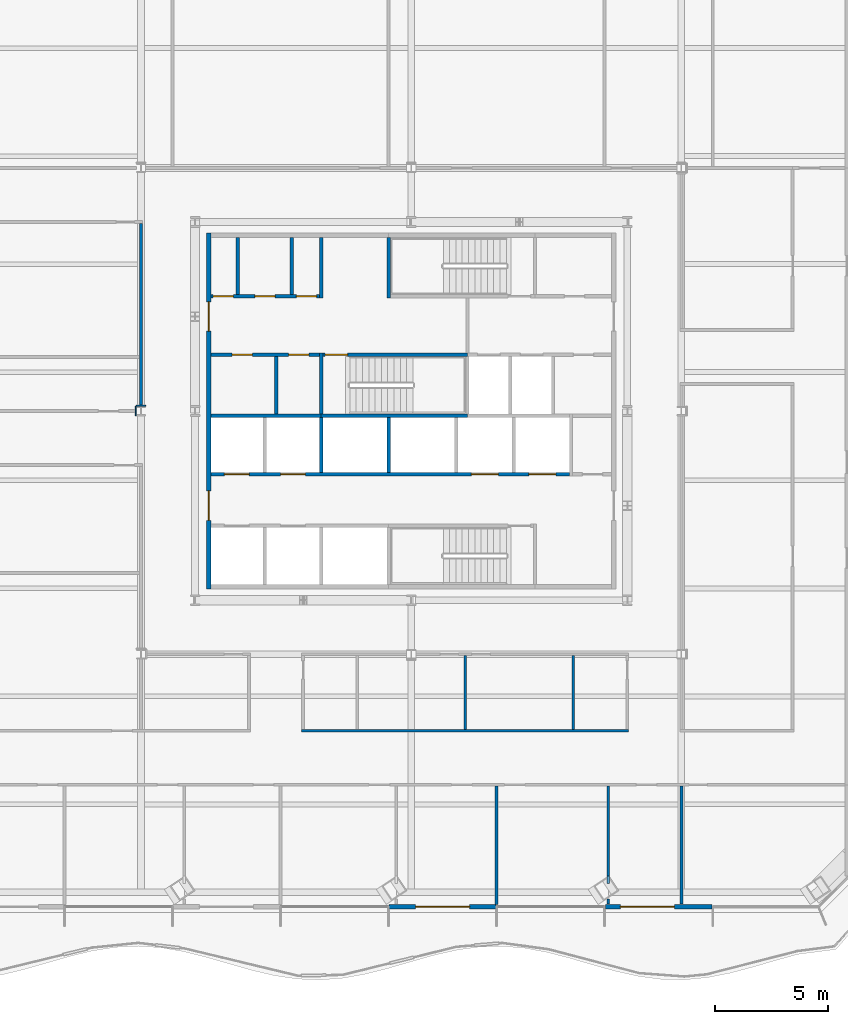
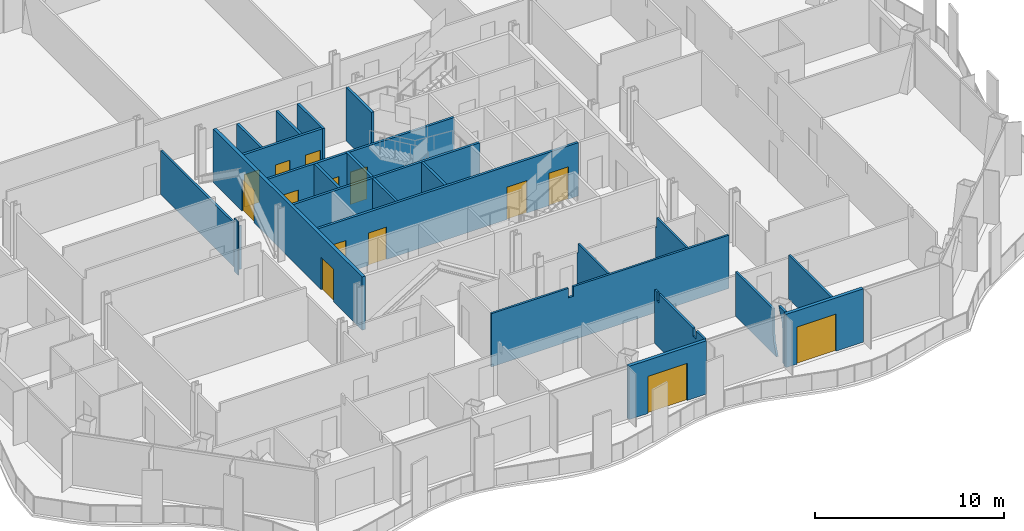
# One storey, part 9 of 21: 27 walls, 14 doors, 14 openings.
"""IFC4 building model written with IfcOpenShell, lengths in metres."""

from ifc_helpers import new_model, si_unit, direction, frame, frame_2d, origin, place, context, subcontext, project, spatial, polyline, rectangle, outline, extrude, material, layer, layer_set, type_object, element, fill, save


model = new_model("IFC4")

# Units and contexts
model_context = context("Model", 3, precision=1e-05, world=origin(), true_north=direction((0.0, 1.0)))
body_context = subcontext(model_context, "Body", "Model", "MODEL_VIEW")
ifc_project = project(units=[si_unit("LENGTHUNIT", "METRE"), si_unit("AREAUNIT", "SQUARE_METRE"), si_unit("VOLUMEUNIT", "CUBIC_METRE"), si_unit("PLANEANGLEUNIT", "RADIAN"), si_unit("MASSUNIT", "GRAM", prefix="KILO")], contexts=[model_context])

# Site, building, storey
site_placement = place(None, origin())
site = spatial("IfcSite", under=ifc_project, at=site_placement, CompositionType="ELEMENT")
building_placement = place(site_placement, origin())
building = spatial("IfcBuilding", under=site, at=building_placement, Name="Cairn Pilgrim Tower", CompositionType="ELEMENT")
storey_placement = place(building_placement, frame((0.0, 0.0, 108.60009765625)))
storey = spatial("IfcBuildingStorey", under=building, at=storey_placement, Name="L26", CompositionType="ELEMENT", Elevation=108.60009765625)

# Wall, opening, door
ifc_material_1 = material(Name="Bronze anodised aluminium insulated sandwich panel with mineral wool fill", Category="aluminium")
ifc_layer_1 = layer(ifc_material_1, 0.199951171875)
ifc_layer_set_1 = layer_set([ifc_layer_1], Name="BRONZE INFILL FRAME WALL 200")
wall_type_1 = type_object("IfcWallType", Name="BRONZE INFILL FRAME WALL 200", PredefinedType="NOTDEFINED", material=ifc_layer_set_1)
wall_1_placement = place(storey_placement, frame((6.2216796875, -19.622314453125, 0.0), z_axis=(0.0, 0.0, 1.0), x_axis=(1.0, 0.0, 0.0)))
wall_1 = element("IfcWall", 1, at=wall_1_placement, inside=storey, type_object=wall_type_1, Name="Bronze infill frame wall IW-S5", PredefinedType="NOTDEFINED", context=body_context, shape_type="SweptSolid", body=[
    extrude(rectangle(XDim=4.739990234375, YDim=0.199951171875, at=frame_2d((2.3701171875, 0.0))), origin(), (0.0, 0.0, 1.0), 3.449951171875),
])
opening_1_placement = place(wall_1_placement, frame((1.17041015625, 0.0, 0.0)))
opening_1 = element("IfcOpeningElement", 2, at=opening_1_placement, cuts=wall_1, Name="Opening 2606B", PredefinedType="OPENING", context=body_context, shape_type="SweptSolid", body=[
    extrude(rectangle(XDim=2.39990234375, YDim=2.39990234375, at=frame_2d((1.199951171875, 1.199951171875))), frame((0.0, 0.10986328125, 0.0), z_axis=(0.0, -1.0, 0.0), x_axis=(1.0, 0.0, 0.0)), (0.0, 0.0, 1.0), 0.219970703125),
])
ifc_material_2 = material(Name="Bronze anodised aluminium frame with tinted low-E glass", Category="aluminium")
door_type_1 = type_object("IfcDoorType", Name="BALCONY SLIDING DOOR 2400x2400", OperationType="DOUBLE_DOOR_SLIDING", PredefinedType="DOOR", material=ifc_material_2)
door_1_placement = place(opening_1_placement, origin())
door_1 = element("IfcDoor", 3, at=door_1_placement, inside=storey, type_object=door_type_1, Name="Balcony sliding door 2606B", OperationType="SINGLE_SWING_LEFT", OverallHeight=2.39990234375, OverallWidth=2.39990234375, PredefinedType="DOOR", context=body_context, shape_type="SweptSolid", body=[
    extrude(rectangle(XDim=2.39990234375, YDim=2.39990234375, at=frame_2d((1.199951171875, 1.199951171875))), frame((0.0, 0.02490234375, 0.0), z_axis=(0.0, -1.0, 0.0), x_axis=(1.0, 0.0, 0.0)), (0.0, 0.0, 1.0), 0.050048828125),
])
fill(opening_1, door_1)

wall_2_placement = place(storey_placement, frame((15.821533203125, -19.622314453125, 0.0), z_axis=(0.0, 0.0, 1.0), x_axis=(1.0, 0.0, 0.0)))
wall_2 = element("IfcWall", 4, at=wall_2_placement, inside=storey, type_object=wall_type_1, Name="Bronze infill frame wall IW-S7", PredefinedType="NOTDEFINED", context=body_context, shape_type="SweptSolid", body=[
    extrude(rectangle(XDim=4.739990234375, YDim=0.199951171875, at=frame_2d((2.3701171875, 0.0))), origin(), (0.0, 0.0, 1.0), 3.449951171875),
])
opening_2_placement = place(wall_2_placement, frame((0.67041015625, 0.0, 0.0)))
opening_2 = element("IfcOpeningElement", 5, at=opening_2_placement, cuts=wall_2, Name="Opening 2608B", PredefinedType="OPENING", context=body_context, shape_type="SweptSolid", body=[
    extrude(rectangle(XDim=2.39990234375, YDim=2.39990234375, at=frame_2d((1.199951171875, 1.199951171875))), frame((0.0, 0.10986328125, 0.0), z_axis=(0.0, -1.0, 0.0), x_axis=(1.0, 0.0, 0.0)), (0.0, 0.0, 1.0), 0.219970703125),
])
door_2_placement = place(opening_2_placement, origin())
door_2 = element("IfcDoor", 6, at=door_2_placement, inside=storey, type_object=door_type_1, Name="Balcony sliding door 2608B", OperationType="SINGLE_SWING_LEFT", OverallHeight=2.39990234375, OverallWidth=2.39990234375, PredefinedType="DOOR", context=body_context, shape_type="SweptSolid", body=[
    extrude(rectangle(XDim=2.39990234375, YDim=2.39990234375, at=frame_2d((1.199951171875, 1.199951171875))), frame((0.0, 0.02490234375, 0.0), z_axis=(0.0, -1.0, 0.0), x_axis=(1.0, 0.0, 0.0)), (0.0, 0.0, 1.0), 0.050048828125),
])
fill(opening_2, door_2)

# Wall, openings, doors
ifc_material_3 = material(Name="Concrete C32/40", Category="concrete")
ifc_layer_2 = layer(ifc_material_3, 0.199951171875)
ifc_layer_set_2 = layer_set([ifc_layer_2], Name="CORE OUTER WALL 200 EI 120")
wall_type_2 = type_object("IfcWallType", Name="CORE OUTER WALL 200 EI 120", PredefinedType="SOLIDWALL", material=ifc_layer_set_2)
wall_3_placement = place(storey_placement, frame((-1.800048828125, -5.5, 0.0), z_axis=(0.0, 0.0, 1.0), x_axis=(0.0, 1.0, 0.0)))
wall_3 = element("IfcWall", 7, at=wall_3_placement, inside=storey, type_object=wall_type_2, Name="CW:L26:V12", PredefinedType="SOLIDWALL", context=body_context, shape_type="SweptSolid", body=[
    extrude(rectangle(XDim=15.800048828125, YDim=0.199951171875, at=frame_2d((7.89990234375, 0.0))), origin(), (0.0, 0.0, 1.0), 3.449951171875),
])
opening_3_placement = place(wall_3_placement, frame((3.050048828125, 0.0, 0.0)))
opening_3 = element("IfcOpeningElement", 8, at=opening_3_placement, cuts=wall_3, Name="Opening CD-W1", PredefinedType="OPENING", context=body_context, shape_type="SweptSolid", body=[
    extrude(rectangle(XDim=1.300048828125, YDim=2.10009765625, at=frame_2d((0.64990234375, 1.050048828125))), frame((0.0, 0.10986328125, 0.0), z_axis=(0.0, -1.0, 0.0), x_axis=(1.0, 0.0, 0.0)), (0.0, 0.0, 1.0), 0.219970703125),
])
opening_4_placement = place(wall_3_placement, frame((11.449951171875, 0.0, 0.0)))
opening_4 = element("IfcOpeningElement", 9, at=opening_4_placement, cuts=wall_3, Name="Opening CD-W2", PredefinedType="OPENING", context=body_context, shape_type="SweptSolid", body=[
    extrude(rectangle(XDim=1.300048828125, YDim=2.10009765625, at=frame_2d((0.64990234375, 1.050048828125))), frame((0.0, 0.10986328125, 0.0), z_axis=(0.0, -1.0, 0.0), x_axis=(1.0, 0.0, 0.0)), (0.0, 0.0, 1.0), 0.219970703125),
])
ifc_material_4 = material(Name="Painted steel", Category="steel")
door_type_2 = type_object("IfcDoorType", Name="CORE LOBBY DOOR 1300x2100", OperationType="DOUBLE_DOOR_SINGLE_SWING", PredefinedType="DOOR", material=ifc_material_4)
door_3_placement = place(opening_3_placement, origin())
door_3 = element("IfcDoor", 10, at=door_3_placement, inside=storey, type_object=door_type_2, Name="CD-W1", OperationType="DOUBLE_DOOR_SINGLE_SWING", OverallHeight=2.10009765625, OverallWidth=1.300048828125, PredefinedType="DOOR", context=body_context, shape_type="SweptSolid", body=[
    extrude(rectangle(XDim=1.300048828125, YDim=2.10009765625, at=frame_2d((0.64990234375, 1.050048828125))), frame((0.0, 0.02490234375, 0.0), z_axis=(0.0, -1.0, 0.0), x_axis=(1.0, 0.0, 0.0)), (0.0, 0.0, 1.0), 0.050048828125),
])
fill(opening_3, door_3)
door_4_placement = place(opening_4_placement, origin())
door_4 = element("IfcDoor", 11, at=door_4_placement, inside=storey, type_object=door_type_2, Name="CD-W2", OperationType="DOUBLE_DOOR_SINGLE_SWING", OverallHeight=2.10009765625, OverallWidth=1.300048828125, PredefinedType="DOOR", context=body_context, shape_type="SweptSolid", body=[
    extrude(rectangle(XDim=1.300048828125, YDim=2.10009765625, at=frame_2d((0.64990234375, 1.050048828125))), frame((0.0, 0.02490234375, 0.0), z_axis=(0.0, -1.0, 0.0), x_axis=(1.0, 0.0, 0.0)), (0.0, 0.0, 1.0), 0.050048828125),
])
fill(opening_4, door_4)

ifc_layer_3 = layer(ifc_material_3, 0.14990234375)
ifc_layer_set_3 = layer_set([ifc_layer_3], Name="CORE PARTITION 150 EI 60")
wall_type_3 = type_object("IfcWallType", Name="CORE PARTITION 150 EI 60", PredefinedType="PARTITIONING", material=ifc_layer_set_3)
wall_4_placement = place(storey_placement, frame((-1.699951171875, 4.89990234375, 0.0), z_axis=(0.0, 0.0, 1.0), x_axis=(1.0, 0.0, 0.0)))
wall_4 = element("IfcWall", 12, at=wall_4_placement, inside=storey, type_object=wall_type_3, Name="CW:L26:H07", PredefinedType="PARTITIONING", context=body_context, shape_type="SweptSolid", body=[
    extrude(rectangle(XDim=4.824951171875, YDim=0.14990234375, at=frame_2d((2.41259765625, 0.0))), origin(), (0.0, 0.0, 1.0), 3.449951171875),
])
opening_5_placement = place(wall_4_placement, frame((0.949951171875, 0.0, 0.0)))
opening_5 = element("IfcOpeningElement", 13, at=opening_5_placement, cuts=wall_4, Name="Opening RD-R3W1", PredefinedType="OPENING", context=body_context, shape_type="SweptSolid", body=[
    extrude(rectangle(XDim=0.89990234375, YDim=2.10009765625, at=frame_2d((0.449951171875, 1.050048828125))), frame((0.0, 0.0849609375, 0.0), z_axis=(0.0, -1.0, 0.0), x_axis=(1.0, 0.0, 0.0)), (0.0, 0.0, 1.0), 0.169921875),
])
opening_6_placement = place(wall_4_placement, frame((3.449951171875, 0.0, 0.0)))
opening_6 = element("IfcOpeningElement", 14, at=opening_6_placement, cuts=wall_4, Name="Opening RD-R3W2", PredefinedType="OPENING", context=body_context, shape_type="SweptSolid", body=[
    extrude(rectangle(XDim=0.89990234375, YDim=2.10009765625, at=frame_2d((0.449951171875, 1.050048828125))), frame((0.0, 0.0849609375, 0.0), z_axis=(0.0, -1.0, 0.0), x_axis=(1.0, 0.0, 0.0)), (0.0, 0.0, 1.0), 0.169921875),
])
door_type_3 = type_object("IfcDoorType", Name="SERVICE ROOM DOOR 900x2100", OperationType="SINGLE_SWING_LEFT", PredefinedType="DOOR", material=ifc_material_4)
door_5_placement = place(opening_5_placement, origin())
door_5 = element("IfcDoor", 15, at=door_5_placement, inside=storey, type_object=door_type_3, Name="RD-R3W1", OperationType="SINGLE_SWING_RIGHT", OverallHeight=2.10009765625, OverallWidth=0.89990234375, PredefinedType="DOOR", context=body_context, shape_type="SweptSolid", body=[
    extrude(rectangle(XDim=0.89990234375, YDim=2.10009765625, at=frame_2d((0.449951171875, 1.050048828125))), frame((0.0, 0.02490234375, 0.0), z_axis=(0.0, -1.0, 0.0), x_axis=(1.0, 0.0, 0.0)), (0.0, 0.0, 1.0), 0.050048828125),
])
fill(opening_5, door_5)
door_6_placement = place(opening_6_placement, origin())
door_6 = element("IfcDoor", 16, at=door_6_placement, inside=storey, type_object=door_type_3, Name="RD-R3W2", OperationType="SINGLE_SWING_LEFT", OverallHeight=2.10009765625, OverallWidth=0.89990234375, PredefinedType="DOOR", context=body_context, shape_type="SweptSolid", body=[
    extrude(rectangle(XDim=0.89990234375, YDim=2.10009765625, at=frame_2d((0.449951171875, 1.050048828125))), frame((0.0, 0.02490234375, 0.0), z_axis=(0.0, -1.0, 0.0), x_axis=(1.0, 0.0, 0.0)), (0.0, 0.0, 1.0), 0.050048828125),
])
fill(opening_6, door_6)

wall_5_placement = place(storey_placement, frame((-1.699951171875, 7.5, 0.0), z_axis=(0.0, 0.0, 1.0), x_axis=(1.0, 0.0, 0.0)))
wall_5 = element("IfcWall", 17, at=wall_5_placement, inside=storey, type_object=wall_type_3, Name="CW:L26:H09", PredefinedType="PARTITIONING", context=body_context, shape_type="SweptSolid", body=[
    extrude(rectangle(XDim=4.824951171875, YDim=0.14990234375, at=frame_2d((2.41259765625, 0.0))), origin(), (0.0, 0.0, 1.0), 3.449951171875),
])
opening_7_placement = place(wall_5_placement, frame((0.10009765625, 0.0, 0.0)))
opening_7 = element("IfcOpeningElement", 18, at=opening_7_placement, cuts=wall_5, Name="Opening RD-R4W1", PredefinedType="OPENING", context=body_context, shape_type="SweptSolid", body=[
    extrude(rectangle(XDim=0.89990234375, YDim=2.10009765625, at=frame_2d((0.449951171875, 1.050048828125))), frame((0.0, 0.0849609375, 0.0), z_axis=(0.0, -1.0, 0.0), x_axis=(1.0, 0.0, 0.0)), (0.0, 0.0, 1.0), 0.169921875),
])
opening_8_placement = place(wall_5_placement, frame((1.949951171875, 0.0, 0.0)))
opening_8 = element("IfcOpeningElement", 19, at=opening_8_placement, cuts=wall_5, Name="Opening RD-R4W2", PredefinedType="OPENING", context=body_context, shape_type="SweptSolid", body=[
    extrude(rectangle(XDim=0.89990234375, YDim=2.10009765625, at=frame_2d((0.449951171875, 1.050048828125))), frame((0.0, 0.0849609375, 0.0), z_axis=(0.0, -1.0, 0.0), x_axis=(1.0, 0.0, 0.0)), (0.0, 0.0, 1.0), 0.169921875),
])
opening_9_placement = place(wall_5_placement, frame((3.800048828125, 0.0, 0.0)))
opening_9 = element("IfcOpeningElement", 20, at=opening_9_placement, cuts=wall_5, Name="Opening RD-R4W3", PredefinedType="OPENING", context=body_context, shape_type="SweptSolid", body=[
    extrude(rectangle(XDim=0.89990234375, YDim=2.10009765625, at=frame_2d((0.449951171875, 1.050048828125))), frame((0.0, 0.0849609375, 0.0), z_axis=(0.0, -1.0, 0.0), x_axis=(1.0, 0.0, 0.0)), (0.0, 0.0, 1.0), 0.169921875),
])
door_7_placement = place(opening_7_placement, origin())
door_7 = element("IfcDoor", 21, at=door_7_placement, inside=storey, type_object=door_type_3, Name="RD-R4W1", OperationType="SINGLE_SWING_RIGHT", OverallHeight=2.10009765625, OverallWidth=0.89990234375, PredefinedType="DOOR", context=body_context, shape_type="SweptSolid", body=[
    extrude(rectangle(XDim=0.89990234375, YDim=2.10009765625, at=frame_2d((0.449951171875, 1.050048828125))), frame((0.0, 0.02490234375, 0.0), z_axis=(0.0, -1.0, 0.0), x_axis=(1.0, 0.0, 0.0)), (0.0, 0.0, 1.0), 0.050048828125),
])
fill(opening_7, door_7)
door_8_placement = place(opening_8_placement, origin())
door_8 = element("IfcDoor", 22, at=door_8_placement, inside=storey, type_object=door_type_3, Name="RD-R4W2", OperationType="SINGLE_SWING_LEFT", OverallHeight=2.10009765625, OverallWidth=0.89990234375, PredefinedType="DOOR", context=body_context, shape_type="SweptSolid", body=[
    extrude(rectangle(XDim=0.89990234375, YDim=2.10009765625, at=frame_2d((0.449951171875, 1.050048828125))), frame((0.0, 0.02490234375, 0.0), z_axis=(0.0, -1.0, 0.0), x_axis=(1.0, 0.0, 0.0)), (0.0, 0.0, 1.0), 0.050048828125),
])
fill(opening_8, door_8)
door_9_placement = place(opening_9_placement, origin())
door_9 = element("IfcDoor", 23, at=door_9_placement, inside=storey, type_object=door_type_3, Name="RD-R4W3", OperationType="SINGLE_SWING_RIGHT", OverallHeight=2.10009765625, OverallWidth=0.89990234375, PredefinedType="DOOR", context=body_context, shape_type="SweptSolid", body=[
    extrude(rectangle(XDim=0.89990234375, YDim=2.10009765625, at=frame_2d((0.449951171875, 1.050048828125))), frame((0.0, 0.02490234375, 0.0), z_axis=(0.0, -1.0, 0.0), x_axis=(1.0, 0.0, 0.0)), (0.0, 0.0, 1.0), 0.050048828125),
])
fill(opening_9, door_9)

# Walls
wall_6_placement = place(storey_placement, frame((-0.5, 7.574951171875, 0.0), z_axis=(0.0, 0.0, 1.0), x_axis=(0.0, 1.0, 0.0)))
element("IfcWall", 24, at=wall_6_placement, inside=storey, type_object=wall_type_3, Name="CW:L26:V13", PredefinedType="PARTITIONING", context=body_context, shape_type="SweptSolid", body=[
    extrude(rectangle(XDim=2.525146484375, YDim=0.14990234375, at=frame_2d((1.2626953125, 0.0))), origin(), (0.0, 0.0, 1.0), 3.449951171875),
])
wall_7_placement = place(storey_placement, frame((1.199951171875, 2.27490234375, 0.0), z_axis=(0.0, 0.0, 1.0), x_axis=(0.0, 1.0, 0.0)))
element("IfcWall", 25, at=wall_7_placement, inside=storey, type_object=wall_type_3, Name="CW:L26:V16", PredefinedType="PARTITIONING", context=body_context, shape_type="SweptSolid", body=[
    extrude(rectangle(XDim=2.550048828125, YDim=0.14990234375, at=frame_2d((1.27490234375, 0.0))), origin(), (0.0, 0.0, 1.0), 3.449951171875),
])
wall_8_placement = place(storey_placement, frame((1.89990234375, 7.574951171875, 0.0), z_axis=(0.0, 0.0, 1.0), x_axis=(0.0, 1.0, 0.0)))
element("IfcWall", 26, at=wall_8_placement, inside=storey, type_object=wall_type_3, Name="CW:L26:V17", PredefinedType="PARTITIONING", context=body_context, shape_type="SweptSolid", body=[
    extrude(rectangle(XDim=2.525146484375, YDim=0.14990234375, at=frame_2d((1.2626953125, 0.0))), origin(), (0.0, 0.0, 1.0), 3.449951171875),
])
wall_9_placement = place(storey_placement, frame((3.199951171875, 7.425048828125, 0.0), z_axis=(0.0, 0.0, 1.0), x_axis=(0.0, 1.0, 0.0)))
element("IfcWall", 27, at=wall_9_placement, inside=storey, type_object=wall_type_3, Name="CW:L26:V21", PredefinedType="PARTITIONING", context=body_context, shape_type="SweptSolid", body=[
    extrude(rectangle(XDim=2.675048828125, YDim=0.14990234375, at=frame_2d((1.33740234375, 0.0))), origin(), (0.0, 0.0, 1.0), 3.449951171875),
])

# Wall, openings, doors
ifc_layer_4 = layer(ifc_material_3, 0.14990234375)
ifc_layer_set_4 = layer_set([ifc_layer_4], Name="CORE SHAFT WALL 150 EI 120")
wall_type_4 = type_object("IfcWallType", Name="CORE SHAFT WALL 150 EI 120", PredefinedType="SOLIDWALL", material=ifc_layer_set_4)
wall_10_placement = place(storey_placement, frame((-1.699951171875, -0.39990234375, 0.0), z_axis=(0.0, 0.0, 1.0), x_axis=(1.0, 0.0, 0.0)))
wall_10 = element("IfcWall", 28, at=wall_10_placement, inside=storey, type_object=wall_type_4, Name="CW:L26:H03", PredefinedType="SOLIDWALL", context=body_context, shape_type="SweptSolid", body=[
    extrude(rectangle(XDim=15.925048828125, YDim=0.14990234375, at=frame_2d((7.96240234375, 0.0))), origin(), (0.0, 0.0, 1.0), 3.449951171875),
])
opening_10_placement = place(wall_10_placement, frame((0.60009765625, 0.0, 0.0)))
opening_10 = element("IfcOpeningElement", 29, at=opening_10_placement, cuts=wall_10, Name="Opening LD-LR3", PredefinedType="OPENING", context=body_context, shape_type="SweptSolid", body=[
    extrude(rectangle(XDim=1.10009765625, YDim=2.10009765625, at=frame_2d((0.550048828125, 1.050048828125))), frame((0.0, 0.0849609375, 0.0), z_axis=(0.0, -1.0, 0.0), x_axis=(1.0, 0.0, 0.0)), (0.0, 0.0, 1.0), 0.169921875),
])
opening_11_placement = place(wall_10_placement, frame((3.10009765625, 0.0, 0.0)))
opening_11 = element("IfcOpeningElement", 30, at=opening_11_placement, cuts=wall_10, Name="Opening LD-LR4", PredefinedType="OPENING", context=body_context, shape_type="SweptSolid", body=[
    extrude(rectangle(XDim=1.10009765625, YDim=2.10009765625, at=frame_2d((0.550048828125, 1.050048828125))), frame((0.0, 0.0849609375, 0.0), z_axis=(0.0, -1.0, 0.0), x_axis=(1.0, 0.0, 0.0)), (0.0, 0.0, 1.0), 0.169921875),
])
opening_12_placement = place(wall_10_placement, frame((11.574951171875, 0.0, 0.0)))
opening_12 = element("IfcOpeningElement", 31, at=opening_12_placement, cuts=wall_10, Name="Opening LD-SV1", PredefinedType="OPENING", context=body_context, shape_type="SweptSolid", body=[
    extrude(rectangle(XDim=1.199951171875, YDim=2.10009765625, at=frame_2d((0.60009765625, 1.050048828125))), frame((0.0, 0.0849609375, 0.0), z_axis=(0.0, -1.0, 0.0), x_axis=(1.0, 0.0, 0.0)), (0.0, 0.0, 1.0), 0.169921875),
])
opening_13_placement = place(wall_10_placement, frame((14.125, 0.0, 0.0)))
opening_13 = element("IfcOpeningElement", 32, at=opening_13_placement, cuts=wall_10, Name="Opening LD-SV2", PredefinedType="OPENING", context=body_context, shape_type="SweptSolid", body=[
    extrude(rectangle(XDim=1.199951171875, YDim=2.10009765625, at=frame_2d((0.60009765625, 1.050048828125))), frame((0.0, 0.0849609375, 0.0), z_axis=(0.0, -1.0, 0.0), x_axis=(1.0, 0.0, 0.0)), (0.0, 0.0, 1.0), 0.169921875),
])
ifc_material_5 = material(Name="Stainless steel", Category="steel")
door_type_4 = type_object("IfcDoorType", Name="LIFT LANDING DOOR 1100x2100", OperationType="DOUBLE_DOOR_SLIDING", PredefinedType="DOOR", material=ifc_material_5)
door_10_placement = place(opening_10_placement, origin())
door_10 = element("IfcDoor", 33, at=door_10_placement, inside=storey, type_object=door_type_4, Name="LANDING DOOR LR3", OperationType="DOUBLE_DOOR_SLIDING", OverallHeight=2.10009765625, OverallWidth=1.10009765625, PredefinedType="DOOR", context=body_context, shape_type="SweptSolid", body=[
    extrude(rectangle(XDim=1.10009765625, YDim=2.10009765625, at=frame_2d((0.550048828125, 1.050048828125))), frame((0.0, 0.02490234375, 0.0), z_axis=(0.0, -1.0, 0.0), x_axis=(1.0, 0.0, 0.0)), (0.0, 0.0, 1.0), 0.050048828125),
])
fill(opening_10, door_10)
door_11_placement = place(opening_11_placement, origin())
door_11 = element("IfcDoor", 34, at=door_11_placement, inside=storey, type_object=door_type_4, Name="LANDING DOOR LR4", OperationType="DOUBLE_DOOR_SLIDING", OverallHeight=2.10009765625, OverallWidth=1.10009765625, PredefinedType="DOOR", context=body_context, shape_type="SweptSolid", body=[
    extrude(rectangle(XDim=1.10009765625, YDim=2.10009765625, at=frame_2d((0.550048828125, 1.050048828125))), frame((0.0, 0.02490234375, 0.0), z_axis=(0.0, -1.0, 0.0), x_axis=(1.0, 0.0, 0.0)), (0.0, 0.0, 1.0), 0.050048828125),
])
fill(opening_11, door_11)
door_type_5 = type_object("IfcDoorType", Name="LIFT LANDING DOOR 1200x2100", OperationType="DOUBLE_DOOR_SLIDING", PredefinedType="DOOR", material=ifc_material_5)
door_12_placement = place(opening_12_placement, origin())
door_12 = element("IfcDoor", 35, at=door_12_placement, inside=storey, type_object=door_type_5, Name="LANDING DOOR SV1", OperationType="DOUBLE_DOOR_SLIDING", OverallHeight=2.10009765625, OverallWidth=1.199951171875, PredefinedType="DOOR", context=body_context, shape_type="SweptSolid", body=[
    extrude(rectangle(XDim=1.199951171875, YDim=2.10009765625, at=frame_2d((0.60009765625, 1.050048828125))), frame((0.0, 0.02490234375, 0.0), z_axis=(0.0, -1.0, 0.0), x_axis=(1.0, 0.0, 0.0)), (0.0, 0.0, 1.0), 0.050048828125),
])
fill(opening_12, door_12)
door_13_placement = place(opening_13_placement, origin())
door_13 = element("IfcDoor", 36, at=door_13_placement, inside=storey, type_object=door_type_5, Name="LANDING DOOR SV2", OperationType="DOUBLE_DOOR_SLIDING", OverallHeight=2.10009765625, OverallWidth=1.199951171875, PredefinedType="DOOR", context=body_context, shape_type="SweptSolid", body=[
    extrude(rectangle(XDim=1.199951171875, YDim=2.10009765625, at=frame_2d((0.60009765625, 1.050048828125))), frame((0.0, 0.02490234375, 0.0), z_axis=(0.0, -1.0, 0.0), x_axis=(1.0, 0.0, 0.0)), (0.0, 0.0, 1.0), 0.050048828125),
])
fill(opening_13, door_13)

# Walls
wall_11_placement = place(storey_placement, frame((-1.699951171875, 2.199951171875, 0.0), z_axis=(0.0, 0.0, 1.0), x_axis=(1.0, 0.0, 0.0)))
element("IfcWall", 37, at=wall_11_placement, inside=storey, type_object=wall_type_4, Name="CW:L26:H05-1", PredefinedType="SOLIDWALL", context=body_context, shape_type="SweptSolid", body=[
    extrude(rectangle(XDim=4.89990234375, YDim=0.14990234375, at=frame_2d((2.449951171875, 0.0))), origin(), (0.0, 0.0, 1.0), 3.449951171875),
])
for number, where, z_axis, x_axis, name in (
    (38, (3.199951171875, -0.324951171875, 0.0), (0.0, 0.0, 1.0), (0.0, 1.0, 0.0), "CW:L26:V19"),
    (39, (6.199951171875, -0.324951171875, 0.0), (0.0, 0.0, 1.0), (0.0, 1.0, 0.0), "CW:L26:V23"),
):
    element("IfcWall", number, at=place(storey_placement, frame(where, z_axis=z_axis, x_axis=x_axis)), inside=storey, type_object=wall_type_4, Name=name, PredefinedType="SOLIDWALL", context=body_context, shape_type="SweptSolid", body=[
        extrude(rectangle(XDim=2.449951171875, YDim=0.14990234375, at=frame_2d((1.22509765625, 0.0))), origin(), (0.0, 0.0, 1.0), 3.449951171875),
    ])
ifc_material_6 = material(Name="Gypsum partition")
ifc_layer_5 = layer(ifc_material_6, 0.125)
ifc_layer_set_5 = layer_set([ifc_layer_5], Name="PARTITION 125 DRYWALL EI 60")
wall_type_5 = type_object("IfcWallType", Name="PARTITION 125 DRYWALL EI 60", PredefinedType="PARTITIONING", material=ifc_layer_set_5)
wall_12_placement = place(storey_placement, frame((10.991943359375, -19.522216796875, 0.0), z_axis=(0.0, 0.0, 1.0), x_axis=(0.0, 1.0, 0.0)))
element("IfcWall", 40, at=wall_12_placement, inside=storey, type_object=wall_type_5, Name="PARTITION W006", PredefinedType="PARTITIONING", context=body_context, shape_type="SweptSolid", body=[
    extrude(outline(polyline([(0.0, 0.0), (5.259765625, 0.0), (5.259765625, 3.449951171875), (5.013671875, 3.449951171875), (5.01171875, 2.8798828125), (4.8037109375, 2.8798828125), (4.801513671875, 3.449951171875), (1.15869140625, 3.449951171875), (1.156494140625, 2.929931640625), (0.858642578125, 2.929931640625), (0.856689453125, 3.449951171875), (0.0, 3.449951171875), (0.0, 0.0)])), frame((0.0, 0.0625, 0.0), z_axis=(0.0, -1.0, 0.0), x_axis=(1.0, 0.0, 0.0)), (0.0, 0.0, 1.0), 0.125),
])
wall_13_placement = place(storey_placement, frame((15.948974609375, -19.4921875, 0.0), z_axis=(0.0, 0.0, 1.0), x_axis=(0.0, 1.0, 0.0)))
element("IfcWall", 41, at=wall_13_placement, inside=storey, type_object=wall_type_5, Name="PARTITION W007", PredefinedType="PARTITIONING", context=body_context, shape_type="SweptSolid", body=[
    extrude(outline(polyline([(0.0, 0.0), (0.226806640625, 0.0), (0.226806640625, 0.8623046875), (0.226806640625, 1.724853515625), (0.30810546875, 2.58740234375), (0.6611328125, 3.449951171875), (0.0, 3.449951171875), (0.0, 2.58740234375), (0.0, 1.724853515625), (0.0, 0.8623046875), (0.0, 0.0)])), frame((0.0, 0.0625, 0.0), z_axis=(0.0, -1.0, 0.0), x_axis=(1.0, 0.0, 0.0)), (0.0, 0.0, 1.0), 0.125),
])
wall_14_placement = place(storey_placement, frame((19.199951171875, -19.4921875, 0.0), z_axis=(0.0, 0.0, 1.0), x_axis=(0.0, 1.0, 0.0)))
element("IfcWall", 42, at=wall_14_placement, inside=storey, type_object=wall_type_5, Name="PARTITION W008", PredefinedType="PARTITIONING", context=body_context, shape_type="SweptSolid", body=[
    extrude(rectangle(XDim=5.229736328125, YDim=0.125, at=frame_2d((2.61474609375, 0.0))), origin(), (0.0, 0.0, 1.0), 2.829833984375),
])
wall_15_placement = place(storey_placement, frame((15.948974609375, -18.59228515625, 0.0), z_axis=(0.0, 0.0, 1.0), x_axis=(0.0, 1.0, 0.0)))
element("IfcWall", 43, at=wall_15_placement, inside=storey, type_object=wall_type_5, Name="PARTITION W012", PredefinedType="PARTITIONING", context=body_context, shape_type="SweptSolid", body=[
    extrude(outline(polyline([(0.0, 0.0), (4.329833984375, 0.0), (4.329833984375, 0.8623046875), (4.329833984375, 1.724853515625), (4.329833984375, 2.58740234375), (4.329833984375, 2.8798828125), (0.37158203125, 2.8798828125), (0.37158203125, 2.58740234375), (0.37158203125, 1.724853515625), (0.309326171875, 0.8623046875), (0.0, 0.0)])), frame((0.0, 0.0625, 0.0), z_axis=(0.0, -1.0, 0.0), x_axis=(1.0, 0.0, 0.0)), (0.0, 0.0, 1.0), 0.125),
])
wall_16_placement = place(storey_placement, frame((2.33740234375, -11.800048828125, 0.0), z_axis=(0.0, 0.0, 1.0), x_axis=(1.0, 0.0, 0.0)))
element("IfcWall", 44, at=wall_16_placement, inside=storey, type_object=wall_type_5, Name="PARTITION W019", PredefinedType="PARTITIONING", context=body_context, shape_type="SweptSolid", body=[
    extrude(outline(polyline([(0.0, 0.0), (14.525146484375, 0.0), (14.52490234375, 3.449951171875), (5.012451171875, 3.449951171875), (5.010498046875, 2.829833984375), (4.71240234375, 2.829833984375), (4.71044921875, 3.449951171875), (0.0, 3.449951171875), (0.0, 0.0)])), frame((0.0, 0.0625, 0.0), z_axis=(0.0, -1.0, 0.0), x_axis=(1.0, 0.0, 0.0)), (0.0, 0.0, 1.0), 0.125),
])
for number, where, z_axis, x_axis, name in (
    (45, (9.60009765625, -11.737548828125, 0.0), (0.0, 0.0, 1.0), (0.0, 1.0, 0.0), "PARTITION W026"),
    (46, (14.39990234375, -11.737548828125, 0.0), (0.0, 0.0, 1.0), (0.0, 1.0, 0.0), "PARTITION W027"),
):
    element("IfcWall", number, at=place(storey_placement, frame(where, z_axis=z_axis, x_axis=x_axis)), inside=storey, type_object=wall_type_5, Name=name, PredefinedType="PARTITIONING", context=body_context, shape_type="SweptSolid", body=[
        extrude(outline(polyline([(0.0, 0.0), (3.275146484375, 0.0), (3.27490234375, 2.829833984375), (3.1875, 2.829833984375), (3.185546875, 3.449951171875), (0.0, 3.449951171875), (0.0, 0.0)])), frame((0.0, 0.0625, 0.0), z_axis=(0.0, -1.0, 0.0), x_axis=(1.0, 0.0, 0.0)), (0.0, 0.0, 1.0), 0.125),
    ])
wall_17_placement = place(storey_placement, frame((-4.800048828125, 2.612548828125, 0.0), z_axis=(0.0, 0.0, 1.0), x_axis=(0.0, 1.0, 0.0)))
element("IfcWall", 47, at=wall_17_placement, inside=storey, type_object=wall_type_5, Name="PARTITION W051", PredefinedType="PARTITIONING", context=body_context, shape_type="SweptSolid", body=[
    extrude(rectangle(XDim=8.125, YDim=0.125, at=frame_2d((4.0625, 0.0))), origin(), (0.0, 0.0, 1.0), 2.829833984375),
])
ifc_layer_6 = layer(ifc_material_6, 0.050048828125)
ifc_layer_set_6 = layer_set([ifc_layer_6], Name="PARTITION 50 DRYWALL EI 60")
wall_type_6 = type_object("IfcWallType", Name="PARTITION 50 DRYWALL EI 60", PredefinedType="PARTITIONING", material=ifc_layer_set_6)
wall_18_placement = place(storey_placement, frame((-5.00439453125, 2.637451171875, 0.0), z_axis=(0.0, 0.0, 1.0), x_axis=(1.0, 0.0, 0.0)))
element("IfcWall", 48, at=wall_18_placement, inside=storey, type_object=wall_type_6, Name="COLUMN CASING WC09", PredefinedType="PARTITIONING", context=body_context, shape_type="SweptSolid", body=[
    extrude(rectangle(XDim=0.408935546875, YDim=0.050048828125, at=frame_2d((0.20458984375, 0.0))), origin(), (0.0, 0.0, 1.0), 2.829833984375),
])
wall_19_placement = place(storey_placement, frame((-5.029541015625, 2.1875, 0.0), z_axis=(0.0, 0.0, 1.0), x_axis=(0.0, 1.0, 0.0)))
element("IfcWall", 49, at=wall_19_placement, inside=storey, type_object=wall_type_6, Name="COLUMN CASING WC11", PredefinedType="PARTITIONING", context=body_context, shape_type="SweptSolid", body=[
    extrude(rectangle(XDim=0.425048828125, YDim=0.050048828125, at=frame_2d((0.21240234375, 0.0))), origin(), (0.0, 0.0, 1.0), 3.449951171875),
])
ifc_material_7 = material(Name="Concrete C35/45", Category="concrete")
ifc_layer_7 = layer(ifc_material_7, 0.14990234375)
ifc_layer_set_7 = layer_set([ifc_layer_7], Name="STAIR SHAFT WALL 150 EI 120")
wall_type_7 = type_object("IfcWallType", Name="STAIR SHAFT WALL 150 EI 120", PredefinedType="SOLIDWALL", material=ifc_layer_set_7)
wall_20_placement = place(storey_placement, frame((3.199951171875, 2.199951171875, 0.0), z_axis=(0.0, 0.0, 1.0), x_axis=(1.0, 0.0, 0.0)))
element("IfcWall", 50, at=wall_20_placement, inside=storey, type_object=wall_type_7, Name="CW:L26:H05-2", PredefinedType="SOLIDWALL", context=body_context, shape_type="SweptSolid", body=[
    extrude(rectangle(XDim=6.5, YDim=0.14990234375, at=frame_2d((3.25, 0.0))), origin(), (0.0, 0.0, 1.0), 3.449951171875),
])

# Wall, opening, door
wall_21_placement = place(storey_placement, frame((3.27490234375, 4.89990234375, 0.0), z_axis=(0.0, 0.0, 1.0), x_axis=(1.0, 0.0, 0.0)))
wall_21 = element("IfcWall", 51, at=wall_21_placement, inside=storey, type_object=wall_type_7, Name="CW:L26:H08-1", PredefinedType="SOLIDWALL", context=body_context, shape_type="SweptSolid", body=[
    extrude(rectangle(XDim=6.425048828125, YDim=0.14990234375, at=frame_2d((3.21240234375, 0.0))), origin(), (0.0, 0.0, 1.0), 3.449951171875),
])
opening_14_placement = place(wall_21_placement, frame((0.10009765625, 0.0, 0.0)))
opening_14 = element("IfcOpeningElement", 52, at=opening_14_placement, cuts=wall_21, Name="Opening SD-B", PredefinedType="OPENING", context=body_context, shape_type="SweptSolid", body=[
    extrude(rectangle(XDim=1.0, YDim=2.10009765625, at=frame_2d((0.5, 1.050048828125))), frame((0.0, 0.0849609375, 0.0), z_axis=(0.0, -1.0, 0.0), x_axis=(1.0, 0.0, 0.0)), (0.0, 0.0, 1.0), 0.169921875),
])
door_type_6 = type_object("IfcDoorType", Name="STAIR DOOR FD60S 1000x2100", OperationType="SINGLE_SWING_LEFT", PredefinedType="DOOR", material=ifc_material_4)
door_14_placement = place(opening_14_placement, origin())
door_14 = element("IfcDoor", 53, at=door_14_placement, inside=storey, type_object=door_type_6, Name="SD-B", OperationType="SINGLE_SWING_LEFT", OverallHeight=2.10009765625, OverallWidth=1.0, PredefinedType="DOOR", context=body_context, shape_type="SweptSolid", body=[
    extrude(rectangle(XDim=1.0, YDim=2.10009765625, at=frame_2d((0.5, 1.050048828125))), frame((0.0, 0.02490234375, 0.0), z_axis=(0.0, -1.0, 0.0), x_axis=(1.0, 0.0, 0.0)), (0.0, 0.0, 1.0), 0.050048828125),
])
fill(opening_14, door_14)

# Walls
wall_22_placement = place(storey_placement, frame((3.199951171875, 2.27490234375, 0.0), z_axis=(0.0, 0.0, 1.0), x_axis=(0.0, 1.0, 0.0)))
element("IfcWall", 54, at=wall_22_placement, inside=storey, type_object=wall_type_7, Name="CW:L26:V20", PredefinedType="SOLIDWALL", context=body_context, shape_type="SweptSolid", body=[
    extrude(rectangle(XDim=2.7001953125, YDim=0.14990234375, at=frame_2d((1.35009765625, 0.0))), origin(), (0.0, 0.0, 1.0), 3.449951171875),
])
wall_23_placement = place(storey_placement, frame((6.199951171875, 7.425048828125, 0.0), z_axis=(0.0, 0.0, 1.0), x_axis=(0.0, 1.0, 0.0)))
element("IfcWall", 55, at=wall_23_placement, inside=storey, type_object=wall_type_7, Name="CW:L26:V24", PredefinedType="SOLIDWALL", context=body_context, shape_type="SweptSolid", body=[
    extrude(rectangle(XDim=2.675048828125, YDim=0.14990234375, at=frame_2d((1.33740234375, 0.0))), origin(), (0.0, 0.0, 1.0), 3.449951171875),
])

save(model, "model.ifc")
